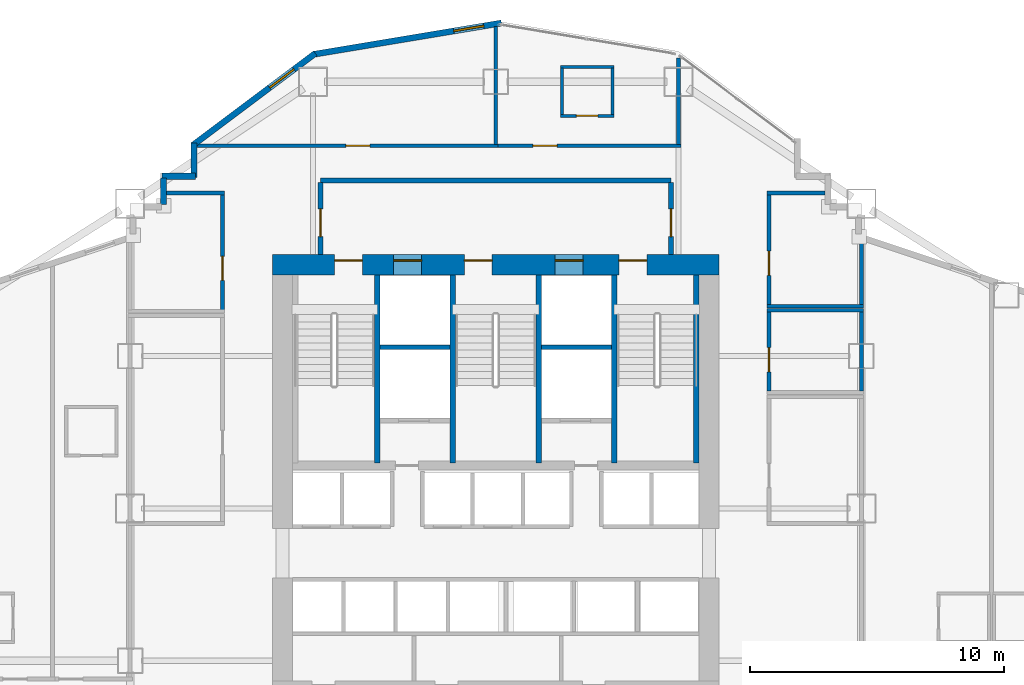
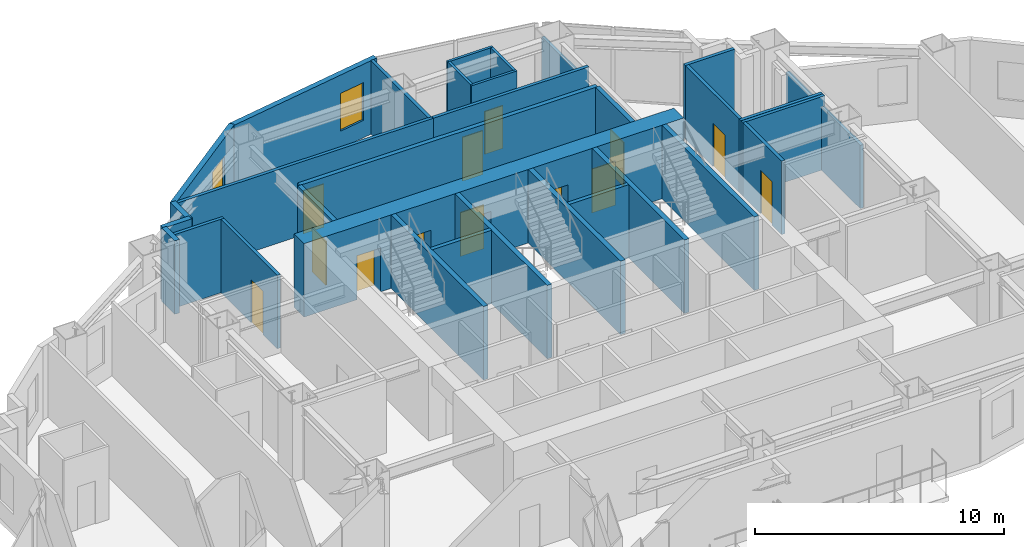
# One storey, part 11 of 16: 33 walls, 13 doors, 2 windows, 15 openings.
"""IFC4 building model written with IfcOpenShell, lengths in metres."""

import ifcopenshell
import ifcopenshell.guid

model = None  # the IFC model being written
_history = None  # IfcOwnerHistory: only IFC2X3 demands one
_inside = {}  # id of a spatial element -> (the spatial element, [elements in it])
_under = {}  # id of a project, library or spatial element -> (it, [spatial elements below it])
_declared = {}  # id of a project -> (the project, [libraries it declares])
_typed = {}  # id of a type object -> (the type object, [elements of that type])
_made_of = {}  # id of a material, layer set ... -> (it, [elements and type objects made of it])


def new_model(schema):
    """Start an empty IFC model of exactly this schema.

    Asked for "IFC4X3", IfcOpenShell would pick the latest addendum, in which some entities
    have other attributes; the version numbers below select the first issue.
    IFC2X3 requires an IfcOwnerHistory on every rooted entity: one is made here for all.
    """
    global model, _history
    if schema == "IFC4X3":
        model = ifcopenshell.file(schema_version=(4, 3, 0, 0))
    else:
        model = ifcopenshell.file(schema=schema)
    _inside.clear()
    _under.clear()
    _declared.clear()
    _typed.clear()
    _made_of.clear()
    _history = None
    if model.schema == "IFC2X3":
        org = make("IfcOrganization", Name="unknown")
        user = make(
            "IfcPersonAndOrganization",
            ThePerson=make("IfcPerson", FamilyName="unknown"),
            TheOrganization=org,
        )
        app = make(
            "IfcApplication",
            ApplicationDeveloper=org,
            Version="unknown",
            ApplicationFullName="unknown",
            ApplicationIdentifier="unknown",
        )
        _history = make(
            "IfcOwnerHistory",
            OwningUser=user,
            OwningApplication=app,
            ChangeAction="ADDED",
            CreationDate=0,
        )
    return model


def make(cls, **values):
    """One entity of the class cls with the attributes given. An attribute that is None is left unset."""
    return model.create_entity(
        cls, **{name: value for name, value in values.items() if value is not None}
    )


def rooted(cls, **values):
    """An entity with a GlobalId (a new one), such as an element, a storey or a relation."""
    return make(cls, GlobalId=ifcopenshell.guid.new(), OwnerHistory=_history, **values)


def si_unit(unit_type, name, prefix=None):
    """IfcSIUnit, for example si_unit("LENGTHUNIT", "METRE", prefix="MILLI")."""
    return make("IfcSIUnit", UnitType=unit_type, Prefix=prefix, Name=name)


def assignment(units):
    """IfcUnitAssignment: the units of a project."""
    return None if units is None else make("IfcUnitAssignment", Units=units)


def point(xyz):
    """IfcCartesianPoint."""
    return None if xyz is None else make("IfcCartesianPoint", Coordinates=xyz)


def direction(xyz):
    """IfcDirection."""
    return None if xyz is None else make("IfcDirection", DirectionRatios=xyz)


def frame(location, z_axis=None, x_axis=None):
    """IfcAxis2Placement3D, a coordinate frame: its origin and axes. An axis left out is left unset."""
    return make(
        "IfcAxis2Placement3D",
        Location=point(location),
        Axis=direction(z_axis),
        RefDirection=direction(x_axis),
    )


def frame_2d(location, x_axis=None):
    """IfcAxis2Placement2D, a coordinate frame in the plane: its origin and x axis."""
    return make(
        "IfcAxis2Placement2D", Location=point(location), RefDirection=direction(x_axis)
    )


def origin():
    """The frame at (0, 0, 0) with its axes left unset."""
    return frame((0.0, 0.0, 0.0))


def place(relative_to, where):
    """IfcLocalPlacement: puts the frame where relative to a parent placement (None: the world)."""
    return make(
        "IfcLocalPlacement", PlacementRelTo=relative_to, RelativePlacement=where
    )


def context(
    kind, dimensions, precision=None, world=None, true_north=None, identifier=None
):
    """IfcGeometricRepresentationContext, for example the 3D "Model" context."""
    return make(
        "IfcGeometricRepresentationContext",
        ContextIdentifier=identifier,
        ContextType=kind,
        CoordinateSpaceDimension=dimensions,
        Precision=precision,
        WorldCoordinateSystem=world,
        TrueNorth=true_north,
    )


def subcontext(parent, identifier, kind, view, scale=None):
    """IfcGeometricRepresentationSubContext, for example "Body" below "Model"."""
    return make(
        "IfcGeometricRepresentationSubContext",
        ContextIdentifier=identifier,
        ContextType=kind,
        ParentContext=parent,
        TargetScale=scale,
        TargetView=view,
    )


def project(units=None, contexts=None):
    """IfcProject with its units and contexts."""
    return rooted(
        "IfcProject",
        Name="project",
        RepresentationContexts=contexts,
        UnitsInContext=assignment(units),
    )


def spatial(cls, under=None, at=None, **own):
    """A site, building, storey or space (cls), placed at a placement, below another one or the project."""
    s = rooted(cls, ObjectPlacement=at, **own)
    if under is not None:
        _under.setdefault(under.id(), (under, []))[1].append(s)
    return s


def profile(cls, at=None, kind="AREA", **sizes):
    """A parametric profile (cls). Its sizes go by their IFC names, for example OverallWidth=200.0."""
    return make(cls, ProfileType=kind, Position=at, **sizes)


def rectangle(**sizes):
    """IfcRectangleProfileDef."""
    return profile("IfcRectangleProfileDef", **sizes)


def extrude(swept, where, along, depth):
    """IfcExtrudedAreaSolid: the profile swept, set in the frame where, extruded along a direction by depth."""
    return make(
        "IfcExtrudedAreaSolid",
        SweptArea=swept,
        Position=where,
        ExtrudedDirection=direction(along),
        Depth=depth,
    )


def shape(context_of_items, identifier, shape_type, items):
    """IfcShapeRepresentation: the items that make up one representation, for example the "Body"."""
    return make(
        "IfcShapeRepresentation",
        ContextOfItems=context_of_items,
        RepresentationIdentifier=identifier,
        RepresentationType=shape_type,
        Items=items,
    )


def material(Name=None, Category=None):
    """IfcMaterial."""
    return make("IfcMaterial", Name=Name, Category=Category)


def layer(
    of_material, thickness, ventilated=None, Name=None, Category=None, Priority=None
):
    """IfcMaterialLayer: one layer of a wall or slab, of a material (None: an air gap)."""
    return make(
        "IfcMaterialLayer",
        Material=of_material,
        LayerThickness=thickness,
        IsVentilated=ventilated,
        Name=Name,
        Category=Category,
        Priority=Priority,
    )


def layer_set(layers, Name=None):
    """IfcMaterialLayerSet."""
    return make("IfcMaterialLayerSet", MaterialLayers=layers, LayerSetName=Name)


def made_of(thing, what):
    """Note that an element or type object is made of a material, layer set ...; save() writes the relation."""
    if what is not None:
        _made_of.setdefault(what.id(), (what, []))[1].append(thing)
    return thing


def type_object(cls, material=None, **own):
    """A type object (cls), such as IfcWallType, which elements share."""
    return made_of(rooted(cls, **own), material)


def element(
    cls,
    number,
    at=None,
    inside=None,
    cuts=None,
    type_object=None,
    material=None,
    context=None,
    identifier="Body",
    shape_type=None,
    held_by="IfcProductDefinitionShape",
    body=None,
    shapes=None,
    **own,
):
    """One element of the class cls, such as IfcWall. Its Tag is "e" and its number.

    at: its placement. inside: the storey or other place that contains it. cuts: it is an
    opening in that element (IfcRelVoidsElement). A single representation is given by context,
    identifier, shape_type and body (its items); several are given by shapes. held_by: the class
    of the entity that holds the representations. save() writes the other relations.
    """
    e = rooted(cls, Tag="e%d" % number, ObjectPlacement=at, **own)
    if body is not None:
        shapes = [shape(context, identifier, shape_type, body)]
    if shapes is not None:
        e.Representation = make(held_by, Representations=shapes)
    if inside is not None:
        _inside.setdefault(inside.id(), (inside, []))[1].append(e)
    if cuts is not None:
        rooted(
            "IfcRelVoidsElement", RelatingBuildingElement=cuts, RelatedOpeningElement=e
        )
    if type_object is not None:
        _typed.setdefault(type_object.id(), (type_object, []))[1].append(e)
    return made_of(e, material)


def fill(opening, filler):
    """IfcRelFillsElement: the door or window that sits in an opening."""
    return rooted(
        "IfcRelFillsElement",
        RelatingOpeningElement=opening,
        RelatedBuildingElement=filler,
    )


def aggregate(whole, parts):
    """IfcRelAggregates: a whole, such as a stair, and the parts it consists of."""
    return rooted("IfcRelAggregates", RelatingObject=whole, RelatedObjects=parts)


def save(model, path):
    """Write the relations noted so far, then the file.

    IfcRelAggregates (storeys below a building ...), IfcRelContainedInSpatialStructure (elements
    in a storey), IfcRelDefinesByType, IfcRelAssociatesMaterial and IfcRelDeclares: one each for
    every whole, place, type object, material and project.
    """
    for whole, parts in _under.values():
        aggregate(whole, parts)
    for where, things in _inside.values():
        rooted(
            "IfcRelContainedInSpatialStructure",
            RelatedElements=things,
            RelatingStructure=where,
        )
    for kind, things in _typed.values():
        rooted("IfcRelDefinesByType", RelatedObjects=things, RelatingType=kind)
    for what, things in _made_of.values():
        rooted("IfcRelAssociatesMaterial", RelatedObjects=things, RelatingMaterial=what)
    for by, libraries in _declared.values():
        rooted("IfcRelDeclares", RelatingContext=by, RelatedDefinitions=libraries)
    model.write(path)


model = new_model("IFC4")

# Units and contexts
model_context = context("Model", 3, precision=1e-05, world=origin(), true_north=direction((0.0, 1.0)))
body_context = subcontext(model_context, "Body", "Model", "MODEL_VIEW")
ifc_project = project(units=[si_unit("LENGTHUNIT", "METRE"), si_unit("AREAUNIT", "SQUARE_METRE"), si_unit("VOLUMEUNIT", "CUBIC_METRE"), si_unit("PLANEANGLEUNIT", "RADIAN"), si_unit("MASSUNIT", "GRAM", prefix="KILO")], contexts=[model_context])

# Site, building, storey
site_placement = place(None, origin())
site = spatial("IfcSite", under=ifc_project, at=site_placement, CompositionType="ELEMENT")
building_placement = place(site_placement, origin())
building = spatial("IfcBuilding", under=site, at=building_placement, Name="Haolan Belvedere Tower", CompositionType="ELEMENT")
storey_placement = place(building_placement, frame((0.0, 0.0, 74.199951171875)))
storey = spatial("IfcBuildingStorey", under=building, at=storey_placement, Name="L18", CompositionType="ELEMENT", Elevation=74.199951171875)

# Wall, openings, doors
ifc_material_1 = material(Name="Concrete C70/85", Category="concrete")
ifc_layer_1 = layer(ifc_material_1, 0.800048828125, Name="Concrete C70/85")
ifc_layer_set_1 = layer_set([ifc_layer_1], Name="Concrete C70/85")
wall_type_1 = type_object("IfcWallType", Name="WL-CORE-800", PredefinedType="SHEAR", material=ifc_layer_set_1)
wall_1_placement = place(storey_placement, frame((29.60009765625, 43.199951171875, 0.0), z_axis=(0.0, 0.0, 1.0), x_axis=(1.0, 0.0, 0.0)))
wall_1 = element("IfcWall", 1, at=wall_1_placement, inside=storey, type_object=wall_type_1, Name="L18 central core north shear wall", PredefinedType="SHEAR", context=body_context, shape_type="SweptSolid", body=[
    extrude(rectangle(XDim=17.599853515625, YDim=0.800048828125, at=frame_2d((8.7998046875, 0.0))), origin(), (0.0, 0.0, 1.0), 3.60009765625),
])
opening_1_placement = place(wall_1_placement, frame((2.449951171875, 0.0, 0.0)))
opening_1 = element("IfcOpeningElement", 2, at=opening_1_placement, cuts=wall_1, Name="Opening FD-03", PredefinedType="OPENING", context=body_context, shape_type="SweptSolid", body=[
    extrude(rectangle(XDim=1.10009765625, YDim=2.14990234375, at=frame_2d((0.550048828125, 1.074951171875))), frame((0.0, 0.409912109375, 0.0), z_axis=(0.0, -1.0, 0.0), x_axis=(1.0, 0.0, 0.0)), (0.0, 0.0, 1.0), 0.820068359375),
])
opening_2_placement = place(wall_1_placement, frame((7.56005859375, 0.0, 0.0)))
opening_2 = element("IfcOpeningElement", 3, at=opening_2_placement, cuts=wall_1, Name="Opening FD-03", PredefinedType="OPENING", context=body_context, shape_type="SweptSolid", body=[
    extrude(rectangle(XDim=1.10009765625, YDim=2.14990234375, at=frame_2d((0.550048828125, 1.074951171875))), frame((0.0, 0.409912109375, 0.0), z_axis=(0.0, -1.0, 0.0), x_axis=(1.0, 0.0, 0.0)), (0.0, 0.0, 1.0), 0.820068359375),
])
opening_3_placement = place(wall_1_placement, frame((13.64990234375, 0.0, 0.0)))
opening_3 = element("IfcOpeningElement", 4, at=opening_3_placement, cuts=wall_1, Name="Opening FD-03", PredefinedType="OPENING", context=body_context, shape_type="SweptSolid", body=[
    extrude(rectangle(XDim=1.10009765625, YDim=2.14990234375, at=frame_2d((0.550048828125, 1.074951171875))), frame((0.0, 0.409912109375, 0.0), z_axis=(0.0, -1.0, 0.0), x_axis=(1.0, 0.0, 0.0)), (0.0, 0.0, 1.0), 0.820068359375),
])
opening_4_placement = place(wall_1_placement, frame((4.780029296875, 0.0, 0.0)))
opening_4 = element("IfcOpeningElement", 5, at=opening_4_placement, cuts=wall_1, Name="Opening LD-01", PredefinedType="OPENING", context=body_context, shape_type="SweptSolid", body=[
    extrude(rectangle(XDim=1.10009765625, YDim=2.199951171875, at=frame_2d((0.550048828125, 1.10009765625))), frame((0.0, 0.409912109375, 0.0), z_axis=(0.0, -1.0, 0.0), x_axis=(1.0, 0.0, 0.0)), (0.0, 0.0, 1.0), 0.820068359375),
])
opening_5_placement = place(wall_1_placement, frame((11.139892578125, 0.0, 0.0)))
opening_5 = element("IfcOpeningElement", 6, at=opening_5_placement, cuts=wall_1, Name="Opening LD-01", PredefinedType="OPENING", context=body_context, shape_type="SweptSolid", body=[
    extrude(rectangle(XDim=1.10009765625, YDim=2.199951171875, at=frame_2d((0.550048828125, 1.10009765625))), frame((0.0, 0.409912109375, 0.0), z_axis=(0.0, -1.0, 0.0), x_axis=(1.0, 0.0, 0.0)), (0.0, 0.0, 1.0), 0.820068359375),
])
ifc_material_2 = material(Name="Galvanised fire-rated steel", Category="steel")
door_type_1 = type_object("IfcDoorType", Name="DR-FD90-1100", OperationType="NOTDEFINED", PredefinedType="DOOR", material=ifc_material_2)
door_1_placement = place(opening_1_placement, origin())
door_1 = element("IfcDoor", 7, at=door_1_placement, inside=storey, type_object=door_type_1, Name="L18 door CD-L18-ST1", OperationType="SINGLE_SWING_LEFT", OverallHeight=2.14990234375, OverallWidth=1.10009765625, PredefinedType="DOOR", context=body_context, shape_type="SweptSolid", body=[
    extrude(rectangle(XDim=1.10009765625, YDim=2.14990234375, at=frame_2d((0.550048828125, 1.074951171875))), frame((0.0, 0.18505859375, 0.0), z_axis=(0.0, -1.0, 0.0), x_axis=(1.0, 0.0, 0.0)), (0.0, 0.0, 1.0), 0.050048828125),
])
fill(opening_1, door_1)
door_2_placement = place(opening_2_placement, origin())
door_2 = element("IfcDoor", 8, at=door_2_placement, inside=storey, type_object=door_type_1, Name="L18 door CD-L18-ST3", OperationType="SINGLE_SWING_LEFT", OverallHeight=2.14990234375, OverallWidth=1.10009765625, PredefinedType="DOOR", context=body_context, shape_type="SweptSolid", body=[
    extrude(rectangle(XDim=1.10009765625, YDim=2.14990234375, at=frame_2d((0.550048828125, 1.074951171875))), frame((0.0, 0.18505859375, 0.0), z_axis=(0.0, -1.0, 0.0), x_axis=(1.0, 0.0, 0.0)), (0.0, 0.0, 1.0), 0.050048828125),
])
fill(opening_2, door_2)
door_3_placement = place(opening_3_placement, origin())
door_3 = element("IfcDoor", 9, at=door_3_placement, inside=storey, type_object=door_type_1, Name="L18 door CD-L18-ST2", OperationType="SINGLE_SWING_RIGHT", OverallHeight=2.14990234375, OverallWidth=1.10009765625, PredefinedType="DOOR", context=body_context, shape_type="SweptSolid", body=[
    extrude(rectangle(XDim=1.10009765625, YDim=2.14990234375, at=frame_2d((0.550048828125, 1.074951171875))), frame((0.0, 0.18505859375, 0.0), z_axis=(0.0, -1.0, 0.0), x_axis=(1.0, 0.0, 0.0)), (0.0, 0.0, 1.0), 0.050048828125),
])
fill(opening_3, door_3)
ifc_material_3 = material(Name="Brushed champagne stainless steel 316L", Category="steel")
door_type_2 = type_object("IfcDoorType", Name="DR-LIFT-1100", OperationType="SLIDING_TO_LEFT", PredefinedType="DOOR", material=ifc_material_3)
door_4_placement = place(opening_4_placement, origin())
door_4 = element("IfcDoor", 10, at=door_4_placement, inside=storey, type_object=door_type_2, Name="L18 door LD-L18-FF1", OperationType="SLIDING_TO_LEFT", OverallHeight=2.199951171875, OverallWidth=1.10009765625, PredefinedType="DOOR", context=body_context, shape_type="SweptSolid", body=[
    extrude(rectangle(XDim=1.10009765625, YDim=2.199951171875, at=frame_2d((0.550048828125, 1.10009765625))), frame((0.0, 0.18505859375, 0.0), z_axis=(0.0, -1.0, 0.0), x_axis=(1.0, 0.0, 0.0)), (0.0, 0.0, 1.0), 0.050048828125),
])
fill(opening_4, door_4)
door_5_placement = place(opening_5_placement, origin())
door_5 = element("IfcDoor", 11, at=door_5_placement, inside=storey, type_object=door_type_2, Name="L18 door LD-L18-FF2", OperationType="SLIDING_TO_LEFT", OverallHeight=2.199951171875, OverallWidth=1.10009765625, PredefinedType="DOOR", context=body_context, shape_type="SweptSolid", body=[
    extrude(rectangle(XDim=1.10009765625, YDim=2.199951171875, at=frame_2d((0.550048828125, 1.10009765625))), frame((0.0, 0.18505859375, 0.0), z_axis=(0.0, -1.0, 0.0), x_axis=(1.0, 0.0, 0.0)), (0.0, 0.0, 1.0), 0.050048828125),
])
fill(opening_5, door_5)

# Wall, opening, window
ifc_material_4 = material(Name="Precast concrete C40/50", Category="concrete")
ifc_layer_2 = layer(ifc_material_4, 0.239990234375, Name="Precast concrete C40/50")
ifc_layer_set_2 = layer_set([ifc_layer_2], Name="Precast concrete C40/50")
wall_type_2 = type_object("IfcWallType", Name="WL-EXT-240", PredefinedType="SOLIDWALL", material=ifc_layer_set_2)
wall_2_placement = place(storey_placement, frame((38.621826171875, 52.71533203125, 0.0), z_axis=(0.0, 0.0, 1.0), x_axis=(-0.98639129485, -0.164414760418, 0.0)))
wall_2 = element("IfcWall", 12, at=wall_2_placement, inside=storey, type_object=wall_type_2, Name="L18 pale-metal exterior spandrel wall 43.1", PredefinedType="SOLIDWALL", context=body_context, shape_type="SweptSolid", body=[
    extrude(rectangle(XDim=7.530029296875, YDim=0.239990234375, at=frame_2d((3.76513671875, 0.0))), origin(), (0.0, 0.0, 1.0), 3.60009765625),
])
opening_6_placement = place(wall_2_placement, frame((0.699951171875, 0.0, 0.85009765625)))
opening_6 = element("IfcOpeningElement", 13, at=opening_6_placement, cuts=wall_2, Name="Opening W-01", PredefinedType="OPENING", context=body_context, shape_type="SweptSolid", body=[
    extrude(rectangle(XDim=1.199951171875, YDim=1.85009765625, at=frame_2d((0.60009765625, 0.925048828125))), frame((0.0, 0.1298828125, 0.0), z_axis=(0.0, -1.0, 0.0), x_axis=(1.0, 0.0, 0.0)), (0.0, 0.0, 1.0), 0.260009765625),
])
ifc_material_5 = material(Name="Anodised aluminium 6063-T6 and Low-E glass", Category="aluminium")
window_type = type_object("IfcWindowType", Name="WN-DECO-Z1", PartitioningType="SINGLE_PANEL", PredefinedType="WINDOW", material=ifc_material_5)
window_1_placement = place(opening_6_placement, origin())
window_1 = element("IfcWindow", 14, at=window_1_placement, inside=storey, type_object=window_type, Name="L18 Art Deco chevron window 1", OverallHeight=1.85009765625, OverallWidth=1.199951171875, PartitioningType="SINGLE_PANEL", PredefinedType="WINDOW", context=body_context, shape_type="SweptSolid", body=[
    extrude(rectangle(XDim=1.199951171875, YDim=1.85009765625, at=frame_2d((0.60009765625, 0.925048828125))), frame((0.0, 0.030029296875, 0.0), z_axis=(0.0, -1.0, 0.0), x_axis=(1.0, 0.0, 0.0)), (0.0, 0.0, 1.0), 0.06005859375),
])
fill(opening_6, window_1)

wall_3_placement = place(storey_placement, frame((31.29248046875, 51.519287109375, 0.0), z_axis=(0.0, 0.0, 1.0), x_axis=(-0.8, -0.6, 0.0)))
wall_3 = element("IfcWall", 15, at=wall_3_placement, inside=storey, type_object=wall_type_2, Name="L18 pale-metal exterior spandrel wall 44.1", PredefinedType="SOLIDWALL", context=body_context, shape_type="SweptSolid", body=[
    extrude(rectangle(XDim=6.0205078125, YDim=0.239990234375, at=frame_2d((3.01025390625, 0.0))), origin(), (0.0, 0.0, 1.0), 3.60009765625),
])
opening_7_placement = place(wall_3_placement, frame((1.047119140625, 0.0, 0.85009765625)))
opening_7 = element("IfcOpeningElement", 16, at=opening_7_placement, cuts=wall_3, Name="Opening W-01", PredefinedType="OPENING", context=body_context, shape_type="SweptSolid", body=[
    extrude(rectangle(XDim=1.199951171875, YDim=1.85009765625, at=frame_2d((0.60009765625, 0.925048828125))), frame((0.0, 0.1298828125, 0.0), z_axis=(0.0, -1.0, 0.0), x_axis=(1.0, 0.0, 0.0)), (0.0, 0.0, 1.0), 0.260009765625),
])
window_2_placement = place(opening_7_placement, origin())
window_2 = element("IfcWindow", 17, at=window_2_placement, inside=storey, type_object=window_type, Name="L18 Art Deco chevron window 1", OverallHeight=1.85009765625, OverallWidth=1.199951171875, PartitioningType="SINGLE_PANEL", PredefinedType="WINDOW", context=body_context, shape_type="SweptSolid", body=[
    extrude(rectangle(XDim=1.199951171875, YDim=1.85009765625, at=frame_2d((0.60009765625, 0.925048828125))), frame((0.0, 0.030029296875, 0.0), z_axis=(0.0, -1.0, 0.0), x_axis=(1.0, 0.0, 0.0)), (0.0, 0.0, 1.0), 0.06005859375),
])
fill(opening_7, window_2)

# Walls
wall_4_placement = place(storey_placement, frame((26.52001953125, 47.9951171875, 0.0), z_axis=(0.0, 0.0, 1.0), x_axis=(0.0, -1.0, 0.0)))
element("IfcWall", 18, at=wall_4_placement, inside=storey, type_object=wall_type_2, Name="L18 pale-metal exterior spandrel wall 45.1", PredefinedType="SOLIDWALL", context=body_context, shape_type="SweptSolid", body=[
    extrude(rectangle(XDim=1.3701171875, YDim=0.239990234375, at=frame_2d((0.68505859375, 0.0))), origin(), (0.0, 0.0, 1.0), 3.60009765625),
])
wall_5_placement = place(storey_placement, frame((26.574951171875, 46.679931640625, 0.0), z_axis=(0.0, 0.0, 1.0), x_axis=(-1.0, 0.0, 0.0)))
element("IfcWall", 19, at=wall_5_placement, inside=storey, type_object=wall_type_2, Name="L18 pale-metal exterior spandrel wall 46.1", PredefinedType="SOLIDWALL", context=body_context, shape_type="SweptSolid", body=[
    extrude(rectangle(XDim=1.31005859375, YDim=0.239990234375, at=frame_2d((0.655029296875, 0.0))), origin(), (0.0, 0.0, 1.0), 3.60009765625),
])
wall_6_placement = place(storey_placement, frame((25.320068359375, 46.614990234375, 0.0), z_axis=(0.0, 0.0, 1.0), x_axis=(0.0, -1.0, 0.0)))
element("IfcWall", 20, at=wall_6_placement, inside=storey, type_object=wall_type_2, Name="L18 pale-metal exterior spandrel wall 47.1", PredefinedType="SOLIDWALL", context=body_context, shape_type="SweptSolid", body=[
    extrude(rectangle(XDim=1.050048828125, YDim=0.239990234375, at=frame_2d((0.52490234375, 0.0))), origin(), (0.0, 0.0, 1.0), 3.60009765625),
])
ifc_material_6 = material(Name="Concrete C40/50", Category="concrete")
ifc_layer_3 = layer(ifc_material_6, 0.199951171875, Name="Concrete C40/50")
ifc_layer_set_3 = layer_set([ifc_layer_3], Name="Concrete C40/50")
wall_type_3 = type_object("IfcWallType", Name="WL-FIRE-200", PredefinedType="SOLIDWALL", material=ifc_layer_set_3)
wall_7_placement = place(storey_placement, frame((31.5, 46.52001953125, 0.0), z_axis=(0.0, 0.0, 1.0), x_axis=(1.0, 0.0, 0.0)))
element("IfcWall", 21, at=wall_7_placement, inside=storey, type_object=wall_type_3, Name="L18 interior partition IW-L18-FFL-N", PredefinedType="SOLIDWALL", context=body_context, shape_type="SweptSolid", body=[
    extrude(rectangle(XDim=13.800048828125, YDim=0.199951171875, at=frame_2d((6.89990234375, 0.0))), origin(), (0.0, 0.0, 1.0), 3.60009765625),
])

# Wall, opening, door
wall_8_placement = place(storey_placement, frame((31.5, 43.60009765625, 0.0), z_axis=(0.0, 0.0, 1.0), x_axis=(0.0, 1.0, 0.0)))
wall_8 = element("IfcWall", 22, at=wall_8_placement, inside=storey, type_object=wall_type_3, Name="L18 interior partition IW-L18-FFL-W", PredefinedType="SOLIDWALL", context=body_context, shape_type="SweptSolid", body=[
    extrude(rectangle(XDim=2.8349609375, YDim=0.199951171875, at=frame_2d((1.41748046875, 0.0))), origin(), (0.0, 0.0, 1.0), 3.60009765625),
])
opening_8_placement = place(wall_8_placement, frame((1.800048828125, 0.0, 0.0), z_axis=(0.0, 0.0, 1.0), x_axis=(-1.0, 0.0, 0.0)))
opening_8 = element("IfcOpeningElement", 23, at=opening_8_placement, cuts=wall_8, Name="Opening FD-03", PredefinedType="OPENING", context=body_context, shape_type="SweptSolid", body=[
    extrude(rectangle(XDim=1.10009765625, YDim=2.14990234375, at=frame_2d((0.550048828125, 1.074951171875))), frame((0.0, 0.10986328125, 0.0), z_axis=(0.0, -1.0, 0.0), x_axis=(1.0, 0.0, 0.0)), (0.0, 0.0, 1.0), 0.219970703125),
])
door_6_placement = place(opening_8_placement, origin())
door_6 = element("IfcDoor", 24, at=door_6_placement, inside=storey, type_object=door_type_1, Name="L18 door ID-L18-FFL-DW", OperationType="SINGLE_SWING_LEFT", OverallHeight=2.14990234375, OverallWidth=1.10009765625, PredefinedType="DOOR", context=body_context, shape_type="SweptSolid", body=[
    extrude(rectangle(XDim=1.10009765625, YDim=2.14990234375, at=frame_2d((0.550048828125, 1.074951171875))), frame((0.0, 0.02490234375, 0.0), z_axis=(0.0, -1.0, 0.0), x_axis=(1.0, 0.0, 0.0)), (0.0, 0.0, 1.0), 0.050048828125),
])
fill(opening_8, door_6)

wall_9_placement = place(storey_placement, frame((45.300048828125, 43.60009765625, 0.0), z_axis=(0.0, 0.0, 1.0), x_axis=(0.0, 1.0, 0.0)))
wall_9 = element("IfcWall", 25, at=wall_9_placement, inside=storey, type_object=wall_type_3, Name="L18 interior partition IW-L18-FFL-E", PredefinedType="SOLIDWALL", context=body_context, shape_type="SweptSolid", body=[
    extrude(rectangle(XDim=2.8349609375, YDim=0.199951171875, at=frame_2d((1.41748046875, 0.0))), origin(), (0.0, 0.0, 1.0), 3.60009765625),
])
opening_9_placement = place(wall_9_placement, frame((0.699951171875, 0.0, 0.0)))
opening_9 = element("IfcOpeningElement", 26, at=opening_9_placement, cuts=wall_9, Name="Opening FD-03", PredefinedType="OPENING", context=body_context, shape_type="SweptSolid", body=[
    extrude(rectangle(XDim=1.10009765625, YDim=2.14990234375, at=frame_2d((0.550048828125, 1.074951171875))), frame((0.0, 0.10986328125, 0.0), z_axis=(0.0, -1.0, 0.0), x_axis=(1.0, 0.0, 0.0)), (0.0, 0.0, 1.0), 0.219970703125),
])
door_7_placement = place(opening_9_placement, origin())
door_7 = element("IfcDoor", 27, at=door_7_placement, inside=storey, type_object=door_type_1, Name="L18 door ID-L18-FFL-DE", OperationType="SINGLE_SWING_RIGHT", OverallHeight=2.14990234375, OverallWidth=1.10009765625, PredefinedType="DOOR", context=body_context, shape_type="SweptSolid", body=[
    extrude(rectangle(XDim=1.10009765625, YDim=2.14990234375, at=frame_2d((0.550048828125, 1.074951171875))), frame((0.0, 0.02490234375, 0.0), z_axis=(0.0, -1.0, 0.0), x_axis=(1.0, 0.0, 0.0)), (0.0, 0.0, 1.0), 0.050048828125),
])
fill(opening_9, door_7)

# Wall
ifc_material_7 = material(Name="Double gypsum acoustic stud partition", Category="masonry")
ifc_layer_4 = layer(ifc_material_7, 0.14990234375, Name="Double gypsum acoustic stud partition")
ifc_layer_set_4 = layer_set([ifc_layer_4], Name="Double gypsum acoustic stud partition")
wall_type_4 = type_object("IfcWallType", Name="WL-PART-150", PredefinedType="PARTITIONING", material=ifc_layer_set_4)
wall_10_placement = place(storey_placement, frame((25.425048828125, 46.02001953125, 0.0), z_axis=(0.0, 0.0, 1.0), x_axis=(1.0, 0.0, 0.0)))
element("IfcWall", 28, at=wall_10_placement, inside=storey, type_object=wall_type_4, Name="L18 interior partition IW-L18-HSK-N", PredefinedType="PARTITIONING", context=body_context, shape_type="SweptSolid", body=[
    extrude(rectangle(XDim=2.294921875, YDim=0.14990234375, at=frame_2d((1.1474609375, 0.0))), origin(), (0.0, 0.0, 1.0), 3.60009765625),
])

# Wall, opening, door
wall_11_placement = place(storey_placement, frame((27.639892578125, 41.419921875, 0.0), z_axis=(0.0, 0.0, 1.0), x_axis=(0.0, 1.0, 0.0)))
wall_11 = element("IfcWall", 29, at=wall_11_placement, inside=storey, type_object=wall_type_4, Name="L18 interior partition IW-L18-HSK-E", PredefinedType="PARTITIONING", context=body_context, shape_type="SweptSolid", body=[
    extrude(rectangle(XDim=4.5400390625, YDim=0.14990234375, at=frame_2d((2.27001953125, 0.0))), origin(), (0.0, 0.0, 1.0), 3.60009765625),
])
opening_10_placement = place(wall_11_placement, frame((2.10986328125, 0.0, 0.0), z_axis=(0.0, 0.0, 1.0), x_axis=(-1.0, 0.0, 0.0)))
opening_10 = element("IfcOpeningElement", 30, at=opening_10_placement, cuts=wall_11, Name="Opening ID-03", PredefinedType="OPENING", context=body_context, shape_type="SweptSolid", body=[
    extrude(rectangle(XDim=0.949951171875, YDim=2.1201171875, at=frame_2d((0.47509765625, 1.06005859375))), frame((0.0, 0.0849609375, 0.0), z_axis=(0.0, -1.0, 0.0), x_axis=(1.0, 0.0, 0.0)), (0.0, 0.0, 1.0), 0.169921875),
])
ifc_material_8 = material(Name="Painted solid-core timber", Category="wood")
door_type_3 = type_object("IfcDoorType", Name="DR-INT-950", OperationType="NOTDEFINED", PredefinedType="DOOR", material=ifc_material_8)
door_8_placement = place(opening_10_placement, origin())
door_8 = element("IfcDoor", 31, at=door_8_placement, inside=storey, type_object=door_type_3, Name="L18 door ID-L18-HSK", OperationType="SINGLE_SWING_RIGHT", OverallHeight=2.1201171875, OverallWidth=0.949951171875, PredefinedType="DOOR", context=body_context, shape_type="SweptSolid", body=[
    extrude(rectangle(XDim=0.949951171875, YDim=2.1201171875, at=frame_2d((0.47509765625, 1.06005859375))), frame((0.0, 0.02490234375, 0.0), z_axis=(0.0, -1.0, 0.0), x_axis=(1.0, 0.0, 0.0)), (0.0, 0.0, 1.0), 0.050048828125),
])
fill(opening_10, door_8)

# Wall
wall_12_placement = place(storey_placement, frame((49.080078125, 41.39990234375, 0.0), z_axis=(0.0, 0.0, 1.0), x_axis=(1.0, 0.0, 0.0)))
element("IfcWall", 32, at=wall_12_placement, inside=storey, type_object=wall_type_4, Name="L18 interior partition IW-L18-AWC-N", PredefinedType="PARTITIONING", context=body_context, shape_type="SweptSolid", body=[
    extrude(rectangle(XDim=3.7998046875, YDim=0.14990234375, at=frame_2d((1.89990234375, 0.0))), origin(), (0.0, 0.0, 1.0), 3.60009765625),
])

# Wall, opening, door
wall_13_placement = place(storey_placement, frame((49.159912109375, 38.219970703125, 0.0), z_axis=(0.0, 0.0, 1.0), x_axis=(0.0, 1.0, 0.0)))
wall_13 = element("IfcWall", 33, at=wall_13_placement, inside=storey, type_object=wall_type_4, Name="L18 interior partition IW-L18-AWC-W", PredefinedType="PARTITIONING", context=body_context, shape_type="SweptSolid", body=[
    extrude(rectangle(XDim=3.1201171875, YDim=0.14990234375, at=frame_2d((1.56005859375, 0.0))), origin(), (0.0, 0.0, 1.0), 3.60009765625),
])
opening_11_placement = place(wall_13_placement, frame((0.760009765625, 0.0, 0.0)))
opening_11 = element("IfcOpeningElement", 34, at=opening_11_placement, cuts=wall_13, Name="Opening ID-03", PredefinedType="OPENING", context=body_context, shape_type="SweptSolid", body=[
    extrude(rectangle(XDim=0.949951171875, YDim=2.1201171875, at=frame_2d((0.47509765625, 1.06005859375))), frame((0.0, 0.0849609375, 0.0), z_axis=(0.0, -1.0, 0.0), x_axis=(1.0, 0.0, 0.0)), (0.0, 0.0, 1.0), 0.169921875),
])
door_9_placement = place(opening_11_placement, origin())
door_9 = element("IfcDoor", 35, at=door_9_placement, inside=storey, type_object=door_type_3, Name="L18 door ID-L18-AWC", OperationType="SINGLE_SWING_LEFT", OverallHeight=2.1201171875, OverallWidth=0.949951171875, PredefinedType="DOOR", context=body_context, shape_type="SweptSolid", body=[
    extrude(rectangle(XDim=0.949951171875, YDim=2.1201171875, at=frame_2d((0.47509765625, 1.06005859375))), frame((0.0, 0.02490234375, 0.0), z_axis=(0.0, -1.0, 0.0), x_axis=(1.0, 0.0, 0.0)), (0.0, 0.0, 1.0), 0.050048828125),
])
fill(opening_11, door_9)

# Walls
wall_14_placement = place(storey_placement, frame((52.800048828125, 38.219970703125, 0.0), z_axis=(0.0, 0.0, 1.0), x_axis=(0.0, 1.0, 0.0)))
element("IfcWall", 36, at=wall_14_placement, inside=storey, type_object=wall_type_4, Name="L18 interior partition IW-L18-AWC-E", PredefinedType="PARTITIONING", context=body_context, shape_type="SweptSolid", body=[
    extrude(rectangle(XDim=3.1201171875, YDim=0.14990234375, at=frame_2d((1.56005859375, 0.0))), origin(), (0.0, 0.0, 1.0), 3.09716796875),
])
wall_15_placement = place(storey_placement, frame((49.080078125, 46.02001953125, 0.0), z_axis=(0.0, 0.0, 1.0), x_axis=(1.0, 0.0, 0.0)))
element("IfcWall", 37, at=wall_15_placement, inside=storey, type_object=wall_type_4, Name="L18 interior partition IW-L18-CLN-N", PredefinedType="PARTITIONING", context=body_context, shape_type="SweptSolid", body=[
    extrude(rectangle(XDim=2.294921875, YDim=0.14990234375, at=frame_2d((1.1474609375, 0.0))), origin(), (0.0, 0.0, 1.0), 3.60009765625),
])
wall_16_placement = place(storey_placement, frame((49.080078125, 41.56005859375, 0.0), z_axis=(0.0, 0.0, 1.0), x_axis=(1.0, 0.0, 0.0)))
element("IfcWall", 38, at=wall_16_placement, inside=storey, type_object=wall_type_4, Name="L18 interior partition IW-L18-CLN-S", PredefinedType="PARTITIONING", context=body_context, shape_type="SweptSolid", body=[
    extrude(rectangle(XDim=3.7998046875, YDim=0.14990234375, at=frame_2d((1.89990234375, 0.0))), origin(), (0.0, 0.0, 1.0), 3.60009765625),
])

# Wall, opening, door
wall_17_placement = place(storey_placement, frame((49.159912109375, 41.6201171875, 0.0), z_axis=(0.0, 0.0, 1.0), x_axis=(0.0, 1.0, 0.0)))
wall_17 = element("IfcWall", 39, at=wall_17_placement, inside=storey, type_object=wall_type_4, Name="L18 interior partition IW-L18-CLN-W", PredefinedType="PARTITIONING", context=body_context, shape_type="SweptSolid", body=[
    extrude(rectangle(XDim=4.33984375, YDim=0.14990234375, at=frame_2d((2.169921875, 0.0))), origin(), (0.0, 0.0, 1.0), 3.60009765625),
])
opening_12_placement = place(wall_17_placement, frame((1.159912109375, 0.0, 0.0)))
opening_12 = element("IfcOpeningElement", 40, at=opening_12_placement, cuts=wall_17, Name="Opening ID-03", PredefinedType="OPENING", context=body_context, shape_type="SweptSolid", body=[
    extrude(rectangle(XDim=0.949951171875, YDim=2.1201171875, at=frame_2d((0.47509765625, 1.06005859375))), frame((0.0, 0.0849609375, 0.0), z_axis=(0.0, -1.0, 0.0), x_axis=(1.0, 0.0, 0.0)), (0.0, 0.0, 1.0), 0.169921875),
])
door_10_placement = place(opening_12_placement, origin())
door_10 = element("IfcDoor", 41, at=door_10_placement, inside=storey, type_object=door_type_3, Name="L18 door ID-L18-CLN", OperationType="SINGLE_SWING_RIGHT", OverallHeight=2.1201171875, OverallWidth=0.949951171875, PredefinedType="DOOR", context=body_context, shape_type="SweptSolid", body=[
    extrude(rectangle(XDim=0.949951171875, YDim=2.1201171875, at=frame_2d((0.47509765625, 1.06005859375))), frame((0.0, 0.02490234375, 0.0), z_axis=(0.0, -1.0, 0.0), x_axis=(1.0, 0.0, 0.0)), (0.0, 0.0, 1.0), 0.050048828125),
])
fill(opening_12, door_10)

# Wall
wall_18_placement = place(storey_placement, frame((52.800048828125, 41.6201171875, 0.0), z_axis=(0.0, 0.0, 1.0), x_axis=(0.0, 1.0, 0.0)))
element("IfcWall", 42, at=wall_18_placement, inside=storey, type_object=wall_type_4, Name="L18 interior partition IW-L18-CLN-E", PredefinedType="PARTITIONING", context=body_context, shape_type="SweptSolid", body=[
    extrude(rectangle(XDim=2.542724609375, YDim=0.14990234375, at=frame_2d((1.271484375, 0.0))), origin(), (0.0, 0.0, 1.0), 3.09716796875),
])

# Wall, opening, door
wall_19_placement = place(storey_placement, frame((26.625, 47.8798828125, 0.0), z_axis=(0.0, 0.0, 1.0), x_axis=(1.0, 0.0, 0.0)))
wall_19 = element("IfcWall", 43, at=wall_19_placement, inside=storey, type_object=wall_type_4, Name="L18 interior partition IW-L18-KN1-S", PredefinedType="PARTITIONING", context=body_context, shape_type="SweptSolid", body=[
    extrude(rectangle(XDim=11.85498046875, YDim=0.14990234375, at=frame_2d((5.927490234375, 0.0))), origin(), (0.0, 0.0, 1.0), 3.60009765625),
])
opening_13_placement = place(wall_19_placement, frame((5.8701171875, 0.0, 0.0)))
opening_13 = element("IfcOpeningElement", 44, at=opening_13_placement, cuts=wall_19, Name="Opening ID-03", PredefinedType="OPENING", context=body_context, shape_type="SweptSolid", body=[
    extrude(rectangle(XDim=0.949951171875, YDim=2.1201171875, at=frame_2d((0.47509765625, 1.06005859375))), frame((0.0, 0.0849609375, 0.0), z_axis=(0.0, -1.0, 0.0), x_axis=(1.0, 0.0, 0.0)), (0.0, 0.0, 1.0), 0.169921875),
])
door_11_placement = place(opening_13_placement, origin())
door_11 = element("IfcDoor", 45, at=door_11_placement, inside=storey, type_object=door_type_3, Name="L18 door ID-L18-KN1", OperationType="SINGLE_SWING_LEFT", OverallHeight=2.1201171875, OverallWidth=0.949951171875, PredefinedType="DOOR", context=body_context, shape_type="SweptSolid", body=[
    extrude(rectangle(XDim=0.949951171875, YDim=2.1201171875, at=frame_2d((0.47509765625, 1.06005859375))), frame((0.0, 0.02490234375, 0.0), z_axis=(0.0, -1.0, 0.0), x_axis=(1.0, 0.0, 0.0)), (0.0, 0.0, 1.0), 0.050048828125),
])
fill(opening_13, door_11)

# Wall
wall_20_placement = place(storey_placement, frame((38.39990234375, 47.93994140625, 0.0), z_axis=(0.0, 0.0, 1.0), x_axis=(0.0, 1.0, 0.0)))
element("IfcWall", 46, at=wall_20_placement, inside=storey, type_object=wall_type_4, Name="L18 interior partition IW-L18-KN1-E", PredefinedType="PARTITIONING", context=body_context, shape_type="SweptSolid", body=[
    extrude(rectangle(XDim=4.632080078125, YDim=0.14990234375, at=frame_2d((2.31591796875, 0.0))), origin(), (0.0, 0.0, 1.0), 3.60009765625),
])

# Wall, opening, door
wall_21_placement = place(storey_placement, frame((38.48193359375, 47.8798828125, 0.0), z_axis=(0.0, 0.0, 1.0), x_axis=(1.0, 0.0, 0.0)))
wall_21 = element("IfcWall", 47, at=wall_21_placement, inside=storey, type_object=wall_type_4, Name="L18 interior partition IW-L18-KN2-S", PredefinedType="PARTITIONING", context=body_context, shape_type="SweptSolid", body=[
    extrude(rectangle(XDim=7.218017578125, YDim=0.14990234375, at=frame_2d((3.60888671875, 0.0))), origin(), (0.0, 0.0, 1.0), 3.60009765625),
])
opening_14_placement = place(wall_21_placement, frame((1.384521484375, 0.0, 0.0)))
opening_14 = element("IfcOpeningElement", 48, at=opening_14_placement, cuts=wall_21, Name="Opening ID-02", PredefinedType="OPENING", context=body_context, shape_type="SweptSolid", body=[
    extrude(rectangle(XDim=0.949951171875, YDim=2.14990234375, at=frame_2d((0.47509765625, 1.074951171875))), frame((0.0, 0.0849609375, 0.0), z_axis=(0.0, -1.0, 0.0), x_axis=(1.0, 0.0, 0.0)), (0.0, 0.0, 1.0), 0.169921875),
])
ifc_material_9 = material(Name="Acoustic oak veneer fire-rated timber", Category="wood")
door_type_4 = type_object("IfcDoorType", Name="DR-GUEST-950", OperationType="NOTDEFINED", PredefinedType="DOOR", material=ifc_material_9)
door_12_placement = place(opening_14_placement, origin())
door_12 = element("IfcDoor", 49, at=door_12_placement, inside=storey, type_object=door_type_4, Name="L18 door ID-L18-KN2-ENT", OperationType="SINGLE_SWING_RIGHT", OverallHeight=2.14990234375, OverallWidth=0.949951171875, PredefinedType="DOOR", context=body_context, shape_type="SweptSolid", body=[
    extrude(rectangle(XDim=0.949951171875, YDim=2.14990234375, at=frame_2d((0.47509765625, 1.074951171875))), frame((0.0, 0.02490234375, 0.0), z_axis=(0.0, -1.0, 0.0), x_axis=(1.0, 0.0, 0.0)), (0.0, 0.0, 1.0), 0.050048828125),
])
fill(opening_14, door_12)

# Walls
wall_22_placement = place(storey_placement, frame((45.60009765625, 47.93994140625, 0.0), z_axis=(0.0, 0.0, 1.0), x_axis=(0.0, 1.0, 0.0)))
element("IfcWall", 50, at=wall_22_placement, inside=storey, type_object=wall_type_4, Name="L18 interior partition IW-L18-KN2-E", PredefinedType="PARTITIONING", context=body_context, shape_type="SweptSolid", body=[
    extrude(rectangle(XDim=3.39501953125, YDim=0.14990234375, at=frame_2d((1.697509765625, 0.0))), origin(), (0.0, 0.0, 1.0), 2.985107421875),
])
ifc_layer_5 = layer(ifc_material_4, 0.179931640625, Name="Precast concrete C40/50")
ifc_layer_set_5 = layer_set([ifc_layer_5], Name="Precast concrete C40/50")
wall_type_5 = type_object("IfcWallType", Name="WL-SHAFT-180", PredefinedType="SOLIDWALL", material=ifc_layer_set_5)
for number, where, z_axis, x_axis, name in (
    (51, (33.8349609375, 39.949951171875, 0.0), (0.0, 0.0, 1.0), (1.0, 0.0, 0.0), "L18 interior partition IW-L18-FF1-S"),
    (52, (40.195068359375, 39.949951171875, 0.0), (0.0, 0.0, 1.0), (1.0, 0.0, 0.0), "L18 interior partition IW-L18-FF2-S"),
):
    element("IfcWall", number, at=place(storey_placement, frame(where, z_axis=z_axis, x_axis=x_axis)), inside=storey, type_object=wall_type_5, Name=name, PredefinedType="SOLIDWALL", context=body_context, shape_type="SweptSolid", body=[
        extrude(rectangle(XDim=2.77001953125, YDim=0.179931640625, at=frame_2d((1.385009765625, 0.0))), origin(), (0.0, 0.0, 1.0), 3.60009765625),
    ])
ifc_material_10 = material(Name="Concrete C50/60", Category="concrete")
ifc_layer_6 = layer(ifc_material_10, 0.219970703125, Name="Concrete C50/60")
ifc_layer_set_6 = layer_set([ifc_layer_6], Name="Concrete C50/60")
wall_type_6 = type_object("IfcWallType", Name="WL-STAIR-220", PredefinedType="SHEAR", material=ifc_layer_set_6)
for number, where, z_axis, x_axis, name in (
    (53, (33.739990234375, 35.389892578125, 0.0), (0.0, 0.0, 1.0), (0.0, 1.0, 0.0), "L18 structural stair core wall ST1E"),
    (54, (36.699951171875, 35.389892578125, 0.0), (0.0, 0.0, 1.0), (0.0, 1.0, 0.0), "L18 structural stair core wall ST3W"),
    (55, (40.10009765625, 35.389892578125, 0.0), (0.0, 0.0, 1.0), (0.0, 1.0, 0.0), "L18 structural stair core wall ST3E"),
    (56, (43.06005859375, 35.389892578125, 0.0), (0.0, 0.0, 1.0), (0.0, 1.0, 0.0), "L18 structural stair core wall ST2W"),
    (57, (46.2880859375, 35.389892578125, 0.0), (0.0, 0.0, 1.0), (0.0, 1.0, 0.0), "L18 structural stair core wall ST2E"),
):
    element("IfcWall", number, at=place(storey_placement, frame(where, z_axis=z_axis, x_axis=x_axis)), inside=storey, type_object=wall_type_6, Name=name, PredefinedType="SHEAR", context=body_context, shape_type="SweptSolid", body=[
        extrude(rectangle(XDim=7.41015625, YDim=0.219970703125, at=frame_2d((3.705078125, 0.0))), origin(), (0.0, 0.0, 1.0), 3.60009765625),
    ])
ifc_material_11 = material(Name="Moisture-resistant gypsum tile partition", Category="masonry")
ifc_layer_7 = layer(ifc_material_11, 0.1201171875, Name="Moisture-resistant gypsum tile partition")
ifc_layer_set_7 = layer_set([ifc_layer_7], Name="Moisture-resistant gypsum tile partition")
wall_type_7 = type_object("IfcWallType", Name="WL-WET-120", PredefinedType="PARTITIONING", material=ifc_layer_set_7)
wall_23_placement = place(storey_placement, frame((40.949951171875, 50.97998046875, 0.0), z_axis=(0.0, 0.0, 1.0), x_axis=(1.0, 0.0, 0.0)))
element("IfcWall", 58, at=wall_23_placement, inside=storey, type_object=wall_type_7, Name="L18 interior partition IW-L18-KN2-BN", PredefinedType="PARTITIONING", context=body_context, shape_type="SweptSolid", body=[
    extrude(rectangle(XDim=2.10009765625, YDim=0.1201171875, at=frame_2d((1.050048828125, 0.0))), origin(), (0.0, 0.0, 1.0), 3.60009765625),
])

# Wall, opening, door
wall_24_placement = place(storey_placement, frame((40.949951171875, 49.06005859375, 0.0), z_axis=(0.0, 0.0, 1.0), x_axis=(1.0, 0.0, 0.0)))
wall_24 = element("IfcWall", 59, at=wall_24_placement, inside=storey, type_object=wall_type_7, Name="L18 interior partition IW-L18-KN2-BS", PredefinedType="PARTITIONING", context=body_context, shape_type="SweptSolid", body=[
    extrude(rectangle(XDim=2.10009765625, YDim=0.1201171875, at=frame_2d((1.050048828125, 0.0))), origin(), (0.0, 0.0, 1.0), 3.60009765625),
])
opening_15_placement = place(wall_24_placement, frame((0.625, 0.0, 0.0)))
opening_15 = element("IfcOpeningElement", 60, at=opening_15_placement, cuts=wall_24, Name="Opening ID-05", PredefinedType="OPENING", context=body_context, shape_type="SweptSolid", body=[
    extrude(rectangle(XDim=0.85009765625, YDim=2.10009765625, at=frame_2d((0.425048828125, 1.050048828125))), frame((0.0, 0.070068359375, 0.0), z_axis=(0.0, -1.0, 0.0), x_axis=(1.0, 0.0, 0.0)), (0.0, 0.0, 1.0), 0.14013671875),
])
ifc_material_12 = material(Name="Moisture-resistant lacquered timber", Category="wood")
door_type_5 = type_object("IfcDoorType", Name="DR-BATH-850", OperationType="NOTDEFINED", PredefinedType="DOOR", material=ifc_material_12)
door_13_placement = place(opening_15_placement, origin())
door_13 = element("IfcDoor", 61, at=door_13_placement, inside=storey, type_object=door_type_5, Name="L18 door ID-L18-KN2-BATH", OperationType="SINGLE_SWING_LEFT", OverallHeight=2.10009765625, OverallWidth=0.85009765625, PredefinedType="DOOR", context=body_context, shape_type="SweptSolid", body=[
    extrude(rectangle(XDim=0.85009765625, YDim=2.10009765625, at=frame_2d((0.425048828125, 1.050048828125))), frame((0.0, 0.02490234375, 0.0), z_axis=(0.0, -1.0, 0.0), x_axis=(1.0, 0.0, 0.0)), (0.0, 0.0, 1.0), 0.050048828125),
])
fill(opening_15, door_13)

# Walls
for number, where, z_axis, x_axis, name in (
    (62, (41.010009765625, 49.10498046875, 0.0), (0.0, 0.0, 1.0), (0.0, 1.0, 0.0), "L18 interior partition IW-L18-KN2-BW"),
    (63, (42.989990234375, 49.10498046875, 0.0), (0.0, 0.0, 1.0), (0.0, 1.0, 0.0), "L18 interior partition IW-L18-KN2-BE"),
):
    element("IfcWall", number, at=place(storey_placement, frame(where, z_axis=z_axis, x_axis=x_axis)), inside=storey, type_object=wall_type_7, Name=name, PredefinedType="PARTITIONING", context=body_context, shape_type="SweptSolid", body=[
        extrude(rectangle(XDim=1.830078125, YDim=0.1201171875, at=frame_2d((0.9150390625, 0.0))), origin(), (0.0, 0.0, 1.0), 3.60009765625),
    ])

save(model, "model.ifc")
